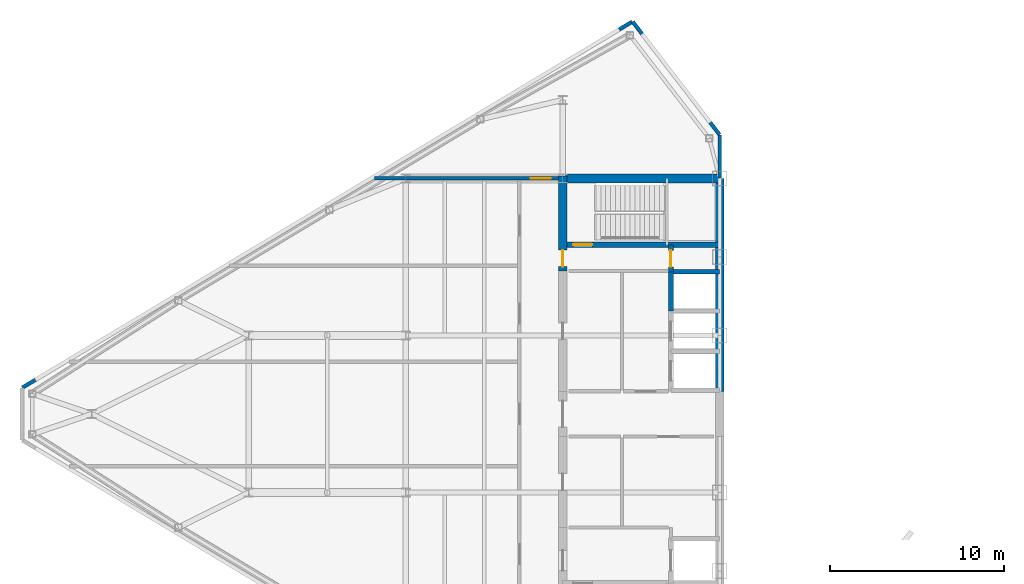
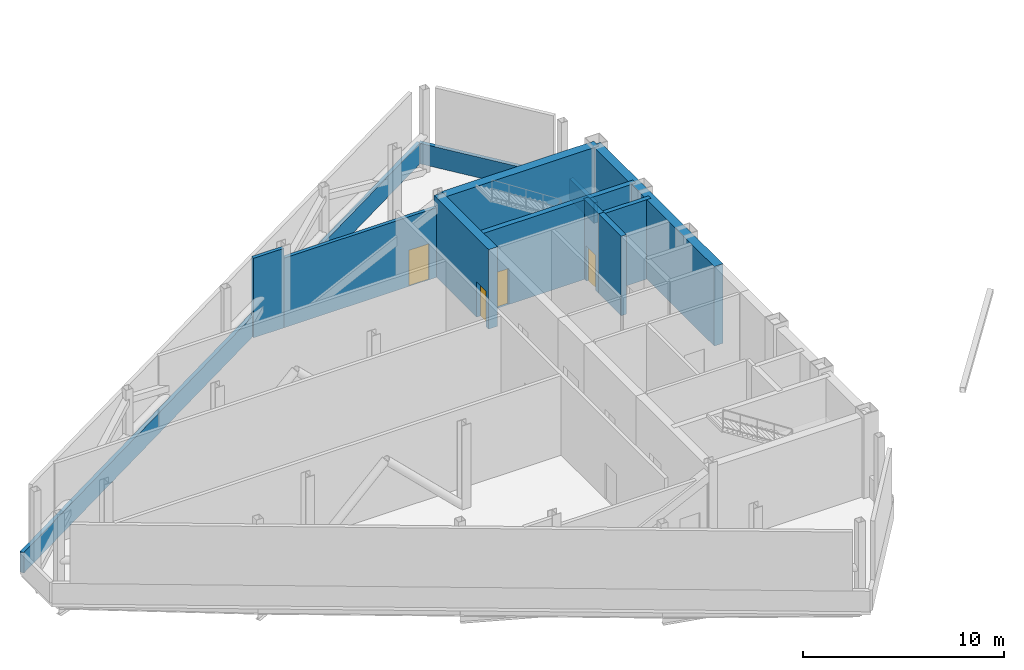
# One storey, part 9 of 13: 12 walls, 4 doors, 4 openings.
"""IFC4 building model written with IfcOpenShell, lengths in metres."""

from ifc_helpers import new_model, si_unit, direction, frame, frame_2d, origin, place, context, subcontext, project, spatial, rectangle, extrude, source, transform, mapped, material, layer, layer_set, type_object, type_shapes, element, fill, save


model = new_model("IFC4")

# Units and contexts
model_context = context("Model", 3, precision=1e-05, world=origin(), true_north=direction((0.0, 1.0)))
body_context = subcontext(model_context, "Body", "Model", "MODEL_VIEW")
ifc_project = project(units=[si_unit("LENGTHUNIT", "METRE"), si_unit("AREAUNIT", "SQUARE_METRE"), si_unit("VOLUMEUNIT", "CUBIC_METRE"), si_unit("PLANEANGLEUNIT", "RADIAN"), si_unit("MASSUNIT", "GRAM", prefix="KILO")], contexts=[model_context])

# Site, building, storey
site_placement = place(None, origin())
site = spatial("IfcSite", under=ifc_project, at=site_placement, CompositionType="ELEMENT")
building_placement = place(site_placement, origin())
building = spatial("IfcBuilding", under=site, at=building_placement, Name="Seokmaru Belvedere", CompositionType="ELEMENT")
storey_placement = place(building_placement, frame((0.0, 0.0, 224.699951171875)))
storey = spatial("IfcBuildingStorey", under=building, at=storey_placement, Name="L60", CompositionType="ELEMENT", Elevation=224.699951171875)

# Walls
ifc_material_1 = material(Name="Concrete C50 (50 MPa)", Category="concrete")
ifc_layer_1 = layer(ifc_material_1, 0.25)
ifc_layer_set_1 = layer_set([ifc_layer_1], Name="Concrete C50 (50 MPa)")
wall_type_1 = type_object("IfcWallType", Name="Hoistway Transverse Concrete Divider Wall 250", PredefinedType="SHEAR", material=ifc_layer_set_1)
wall_1_placement = place(storey_placement, frame((-30.300048828125, 8.14990234375, 0.0), z_axis=(0.0, 0.0, 1.0), x_axis=(1.0, 0.0, 0.0)))
element("IfcWall", 1, at=wall_1_placement, inside=storey, type_object=wall_type_1, Name="L60 West Hoistway Divider Core Wall 5", PredefinedType="SHEAR", context=body_context, shape_type="SweptSolid", body=[
    extrude(rectangle(XDim=2.800048828125, YDim=0.25, at=frame_2d((1.39990234375, 0.0))), origin(), (0.0, 0.0, 1.0), 4.840087890625),
])
ifc_material_2 = material(Name="Fire-Rated Gypsum Shaftwall")
ifc_layer_2 = layer(ifc_material_2, 0.199951171875)
ifc_layer_set_2 = layer_set([ifc_layer_2], Name="Fire-Rated Gypsum Shaftwall")
wall_type_2 = type_object("IfcWallType", Name="Inter-Tenancy Fire Compartment Partition 200", PredefinedType="PARTITIONING", material=ifc_layer_set_2)
wall_2_placement = place(storey_placement, frame((-47.276611328125, 13.5, 0.0), z_axis=(0.0, 0.0, 1.0), x_axis=(1.0, 0.0, 0.0)))
element("IfcWall", 2, at=wall_2_placement, inside=storey, type_object=wall_type_2, Name="L60 Interior Partition 009", PredefinedType="PARTITIONING", context=body_context, shape_type="SweptSolid", body=[
    extrude(rectangle(XDim=1.756591796875, YDim=0.199951171875, at=frame_2d((0.87841796875, 0.0))), origin(), (0.0, 0.0, 1.0), 4.840087890625),
])

# Wall, opening, door
wall_3_placement = place(storey_placement, frame((-45.52001953125, 13.5, 0.0), z_axis=(0.0, 0.0, 1.0), x_axis=(1.0, 0.0, 0.0)))
wall_3 = element("IfcWall", 3, at=wall_3_placement, inside=storey, type_object=wall_type_2, Name="L60 Interior Partition 009 Part 2", PredefinedType="PARTITIONING", context=body_context, shape_type="SweptSolid", body=[
    extrude(rectangle(XDim=8.76513671875, YDim=0.199951171875, at=frame_2d((4.382568359375, 0.0))), origin(), (0.0, 0.0, 1.0), 4.239990234375),
])
opening_1_placement = place(wall_3_placement, frame((7.195068359375, 0.0, 0.0)))
opening_1 = element("IfcOpeningElement", 4, at=opening_1_placement, cuts=wall_3, Name="Opening D02", PredefinedType="OPENING", context=body_context, shape_type="SweptSolid", body=[
    extrude(rectangle(XDim=1.14990234375, YDim=2.199951171875, at=frame_2d((0.574951171875, 1.10009765625))), frame((0.0, 0.10986328125, 0.0), z_axis=(0.0, -1.0, 0.0), x_axis=(1.0, 0.0, 0.0)), (0.0, 0.0, 1.0), 0.219970703125),
])
ifc_material_3 = material(Name="Fire-Rated Steel Leaf", Category="steel")
door_type_1 = type_object("IfcDoorType", Name="Lobby and Vestibule Fire Door 1150x2200", OperationType="NOTDEFINED", PredefinedType="DOOR", material=ifc_material_3)
shared_shape_1 = source(origin(), body_context, "Body", "SweptSolid", [
    extrude(rectangle(XDim=1.14990234375, YDim=2.199951171875, at=frame_2d((0.574951171875, 1.10009765625))), frame((0.0, 0.02490234375, 0.0), z_axis=(0.0, -1.0, 0.0), x_axis=(1.0, 0.0, 0.0)), (0.0, 0.0, 1.0), 0.050048828125),
])
type_shapes(door_type_1, [shared_shape_1])
door_1_placement = place(opening_1_placement, origin())
door_1 = element("IfcDoor", 5, at=door_1_placement, inside=storey, type_object=door_type_1, Name="L60 Interior Door 002", OperationType="SINGLE_SWING_RIGHT", OverallHeight=2.199951171875, OverallWidth=1.14990234375, PredefinedType="DOOR", context=body_context, shape_type="MappedRepresentation", body=[
    mapped(shared_shape_1, transform((0.0, 0.0, 0.0), scale=1.0)),
])
fill(opening_1, door_1)

ifc_layer_3 = layer(ifc_material_1, 0.300048828125)
ifc_layer_set_3 = layer_set([ifc_layer_3], Name="Concrete C50 (50 MPa)")
wall_type_3 = type_object("IfcWallType", Name="Internal Core Stair and Hoistway Wall 300", PredefinedType="SHEAR", material=ifc_layer_set_3)
wall_4_placement = place(storey_placement, frame((-36.5, 9.699951171875, 0.0), z_axis=(0.0, 0.0, 1.0), x_axis=(1.0, 0.0, 0.0)))
wall_4 = element("IfcWall", 6, at=wall_4_placement, inside=storey, type_object=wall_type_3, Name="L60 West Stair ST-2 Enclosure Wall", PredefinedType="SHEAR", context=body_context, shape_type="SweptSolid", body=[
    extrude(rectangle(XDim=9.0, YDim=0.300048828125, at=frame_2d((4.5, 0.0))), origin(), (0.0, 0.0, 1.0), 4.840087890625),
])
opening_2_placement = place(wall_4_placement, frame((0.60009765625, 0.0, 0.0)))
opening_2 = element("IfcOpeningElement", 7, at=opening_2_placement, cuts=wall_4, Name="Opening D01", PredefinedType="OPENING", context=body_context, shape_type="SweptSolid", body=[
    extrude(rectangle(XDim=1.10009765625, YDim=2.199951171875, at=frame_2d((0.550048828125, 1.10009765625))), frame((0.0, 0.16015625, 0.0), z_axis=(0.0, -1.0, 0.0), x_axis=(1.0, 0.0, 0.0)), (0.0, 0.0, 1.0), 0.320068359375),
])
door_type_2 = type_object("IfcDoorType", Name="Special Escape Stair Smokeproof Fire Door 1100x2200", OperationType="NOTDEFINED", PredefinedType="DOOR", material=ifc_material_3)
shared_shape_2 = source(origin(), body_context, "Body", "SweptSolid", [
    extrude(rectangle(XDim=1.10009765625, YDim=2.199951171875, at=frame_2d((0.550048828125, 1.10009765625))), frame((0.0, 0.02490234375, 0.0), z_axis=(0.0, -1.0, 0.0), x_axis=(1.0, 0.0, 0.0)), (0.0, 0.0, 1.0), 0.050048828125),
])
type_shapes(door_type_2, [shared_shape_2])
door_2_placement = place(opening_2_placement, origin())
door_2 = element("IfcDoor", 8, at=door_2_placement, inside=storey, type_object=door_type_2, Name="L60 West Special Escape Stair ST-2 Door", OperationType="SINGLE_SWING_RIGHT", OverallHeight=2.199951171875, OverallWidth=1.10009765625, PredefinedType="DOOR", context=body_context, shape_type="MappedRepresentation", body=[
    mapped(shared_shape_2, transform((0.0, 0.0, 0.0), scale=1.0)),
])
fill(opening_2, door_2)

# Wall
wall_5_placement = place(storey_placement, frame((-30.300048828125, 5.89990234375, 0.0), z_axis=(0.0, 0.0, 1.0), x_axis=(0.0, 1.0, 0.0)))
element("IfcWall", 9, at=wall_5_placement, inside=storey, type_object=wall_type_3, Name="L60 West North Hoistway Wall OBS", PredefinedType="SHEAR", context=body_context, shape_type="SweptSolid", body=[
    extrude(rectangle(XDim=2.25, YDim=0.300048828125, at=frame_2d((1.125, 0.0))), origin(), (0.0, 0.0, 1.0), 4.840087890625),
])

# Wall, opening, door
wall_6_placement = place(storey_placement, frame((-30.300048828125, 8.14990234375, 0.0), z_axis=(0.0, 0.0, 1.0), x_axis=(0.0, 1.0, 0.0)))
wall_6 = element("IfcWall", 10, at=wall_6_placement, inside=storey, type_object=wall_type_3, Name="L60 West Electrical Riser Front Wall", PredefinedType="SHEAR", context=body_context, shape_type="SweptSolid", body=[
    extrude(rectangle(XDim=1.530029296875, YDim=0.300048828125, at=frame_2d((0.76513671875, 0.0))), origin(), (0.0, 0.0, 1.0), 4.840087890625),
])
opening_3_placement = place(wall_6_placement, frame((0.284912109375, 0.0, 0.0)))
opening_3 = element("IfcOpeningElement", 11, at=opening_3_placement, cuts=wall_6, Name="Opening D04", PredefinedType="OPENING", context=body_context, shape_type="SweptSolid", body=[
    extrude(rectangle(XDim=0.949951171875, YDim=2.14990234375, at=frame_2d((0.47509765625, 1.074951171875))), frame((0.0, 0.16015625, 0.0), z_axis=(0.0, -1.0, 0.0), x_axis=(1.0, 0.0, 0.0)), (0.0, 0.0, 1.0), 0.320068359375),
])
door_type_3 = type_object("IfcDoorType", Name="Core Service Room Fire Door 950x2150", OperationType="NOTDEFINED", PredefinedType="DOOR", material=ifc_material_3)
shared_shape_3 = source(origin(), body_context, "Body", "SweptSolid", [
    extrude(rectangle(XDim=0.949951171875, YDim=2.14990234375, at=frame_2d((0.47509765625, 1.074951171875))), frame((0.0, 0.02490234375, 0.0), z_axis=(0.0, -1.0, 0.0), x_axis=(1.0, 0.0, 0.0)), (0.0, 0.0, 1.0), 0.050048828125),
])
type_shapes(door_type_3, [shared_shape_3])
door_3_placement = place(opening_3_placement, origin())
door_3 = element("IfcDoor", 12, at=door_3_placement, inside=storey, type_object=door_type_3, Name="L60 West Electrical Riser Access Door", OperationType="SINGLE_SWING_LEFT", OverallHeight=2.14990234375, OverallWidth=0.949951171875, PredefinedType="DOOR", context=body_context, shape_type="MappedRepresentation", body=[
    mapped(shared_shape_3, transform((0.0, 0.0, 0.0), scale=1.0)),
])
fill(opening_3, door_3)

# Walls
ifc_material_4 = material(Name="Concrete C40 (40 MPa)", Category="concrete")
ifc_layer_4 = layer(ifc_material_4, 0.219970703125)
ifc_layer_set_4 = layer_set([ifc_layer_4], Name="Concrete C40 (40 MPa)")
wall_type_4 = type_object("IfcWallType", Name="Refuge and Roof Concrete Parapet 220", PredefinedType="PARAPET", material=ifc_layer_set_4)
wall_7_placement = place(storey_placement, frame((-27.5, 13.52001953125, 0.0), z_axis=(0.0, 0.0, 1.0), x_axis=(0.0, 1.0, 0.0)))
element("IfcWall", 13, at=wall_7_placement, inside=storey, type_object=wall_type_4, Name="L60 W Refuge Spine Shoulder Parapet 2", PredefinedType="PARAPET", context=body_context, shape_type="SweptSolid", body=[
    extrude(rectangle(XDim=2.4599609375, YDim=0.219970703125, at=frame_2d((1.22998046875, 0.0))), origin(), (0.0, 0.0, 1.0), 1.25),
])
wall_8_placement = place(storey_placement, frame((-27.51220703125, 16.015869140625, 0.0), z_axis=(0.0, 0.0, 1.0), x_axis=(-0.60971076085, 0.792623989105, 0.0)))
element("IfcWall", 14, at=wall_8_placement, inside=storey, type_object=wall_type_4, Name="L60 W Refuge Perimeter Parapet 2", PredefinedType="PARAPET", context=body_context, shape_type="SweptSolid", body=[
    extrude(rectangle(XDim=8.16064453125, YDim=0.219970703125, at=frame_2d((4.080322265625, 0.0))), origin(), (0.0, 0.0, 1.0), 1.25),
])
wall_9_placement = place(storey_placement, frame((-32.51708984375, 22.48974609375, 0.0), z_axis=(0.0, 0.0, 1.0), x_axis=(-0.857492925713, -0.514495755428, 0.0)))
element("IfcWall", 15, at=wall_9_placement, inside=storey, type_object=wall_type_4, Name="L60 W Refuge Perimeter Parapet 3", PredefinedType="PARAPET", context=body_context, shape_type="SweptSolid", body=[
    extrude(rectangle(XDim=40.77685546875, YDim=0.219970703125, at=frame_2d((20.388427734375, 0.0))), origin(), (0.0, 0.0, 1.0), 1.25),
])
ifc_layer_5 = layer(ifc_material_1, 0.5)
ifc_layer_set_5 = layer_set([ifc_layer_5], Name="Concrete C50 (50 MPa)")
wall_type_5 = type_object("IfcWallType", Name="Upper Tower Reinforced Concrete Core Wall 500", PredefinedType="SHEAR", material=ifc_layer_set_5)
wall_10_placement = place(storey_placement, frame((-27.5, 1.300048828125, 0.0), z_axis=(0.0, 0.0, 1.0), x_axis=(0.0, 1.0, 0.0)))
element("IfcWall", 16, at=wall_10_placement, inside=storey, type_object=wall_type_5, Name="L60 West Portal Spine Core Wall North", PredefinedType="SHEAR", context=body_context, shape_type="SweptSolid", body=[
    extrude(rectangle(XDim=12.199951171875, YDim=0.5, at=frame_2d((6.10009765625, 0.0))), origin(), (0.0, 0.0, 1.0), 4.840087890625),
])
wall_11_placement = place(storey_placement, frame((-36.5, 13.5, 0.0), z_axis=(0.0, 0.0, 1.0), x_axis=(1.0, 0.0, 0.0)))
element("IfcWall", 17, at=wall_11_placement, inside=storey, type_object=wall_type_5, Name="L60 West North Core Wall", PredefinedType="SHEAR", context=body_context, shape_type="SweptSolid", body=[
    extrude(rectangle(XDim=9.0, YDim=0.5, at=frame_2d((4.5, 0.0))), origin(), (0.0, 0.0, 1.0), 4.840087890625),
])

# Wall, opening, door
wall_12_placement = place(storey_placement, frame((-36.5, 8.199951171875, 0.0), z_axis=(0.0, 0.0, 1.0), x_axis=(0.0, 1.0, 0.0)))
wall_12 = element("IfcWall", 18, at=wall_12_placement, inside=storey, type_object=wall_type_5, Name="L60 West West Core Wall VST", PredefinedType="SHEAR", context=body_context, shape_type="SweptSolid", body=[
    extrude(rectangle(XDim=5.449951171875, YDim=0.5, at=frame_2d((2.72509765625, 0.0))), origin(), (0.0, 0.0, 1.0), 4.840087890625),
])
opening_4_placement = place(wall_12_placement, frame((0.2451171875, 0.0, 0.0)))
opening_4 = element("IfcOpeningElement", 19, at=opening_4_placement, cuts=wall_12, Name="Opening D04", PredefinedType="OPENING", context=body_context, shape_type="SweptSolid", body=[
    extrude(rectangle(XDim=0.949951171875, YDim=2.14990234375, at=frame_2d((0.47509765625, 1.074951171875))), frame((0.0, 0.260009765625, 0.0), z_axis=(0.0, -1.0, 0.0), x_axis=(1.0, 0.0, 0.0)), (0.0, 0.0, 1.0), 0.52001953125),
])
door_4_placement = place(opening_4_placement, frame((0.949951171875, 0.0, 0.0), z_axis=(0.0, 0.0, 1.0), x_axis=(-1.0, 0.0, 0.0)))
door_4 = element("IfcDoor", 20, at=door_4_placement, inside=storey, type_object=door_type_3, Name="L60 West Smokeproof Vestibule Door", OperationType="SINGLE_SWING_RIGHT", OverallHeight=2.14990234375, OverallWidth=0.949951171875, PredefinedType="DOOR", context=body_context, shape_type="MappedRepresentation", body=[
    mapped(shared_shape_3, transform((0.0, 0.0, 0.0), scale=1.0)),
])
fill(opening_4, door_4)

save(model, "model.ifc")
